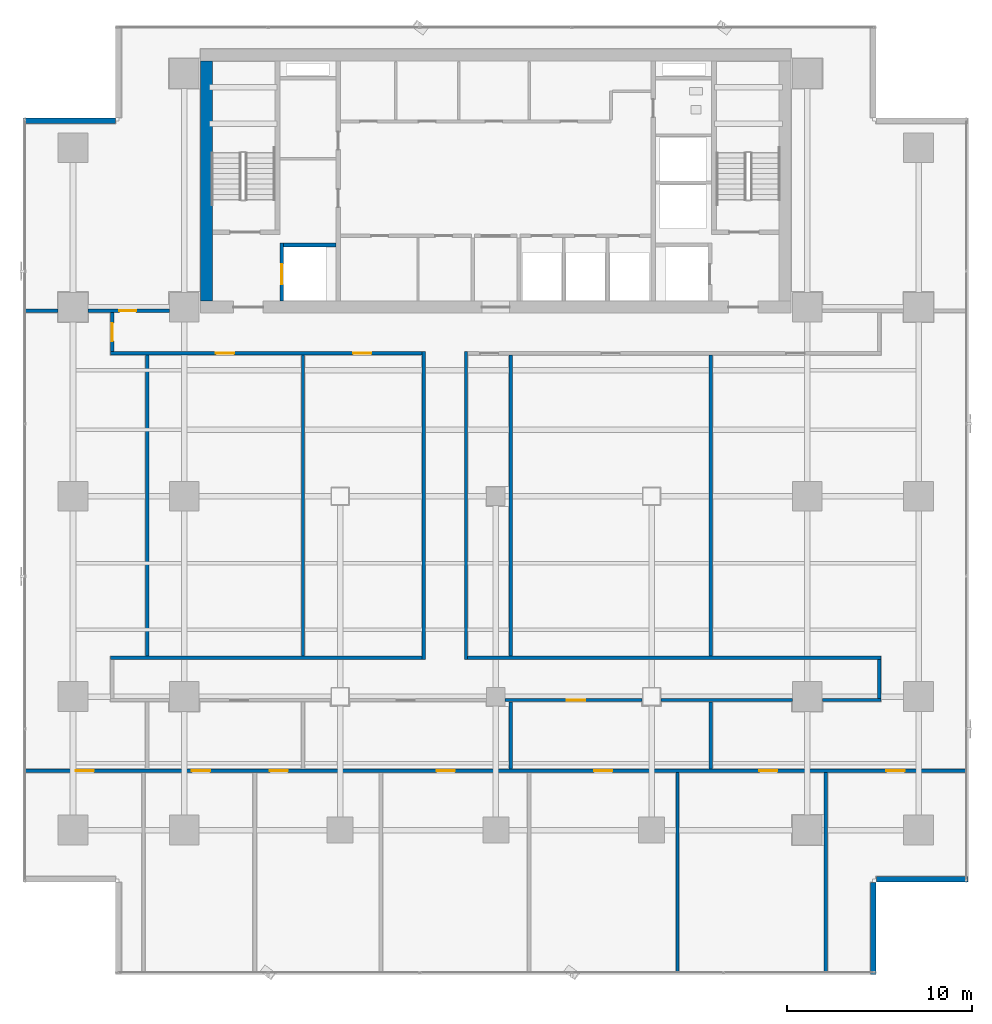
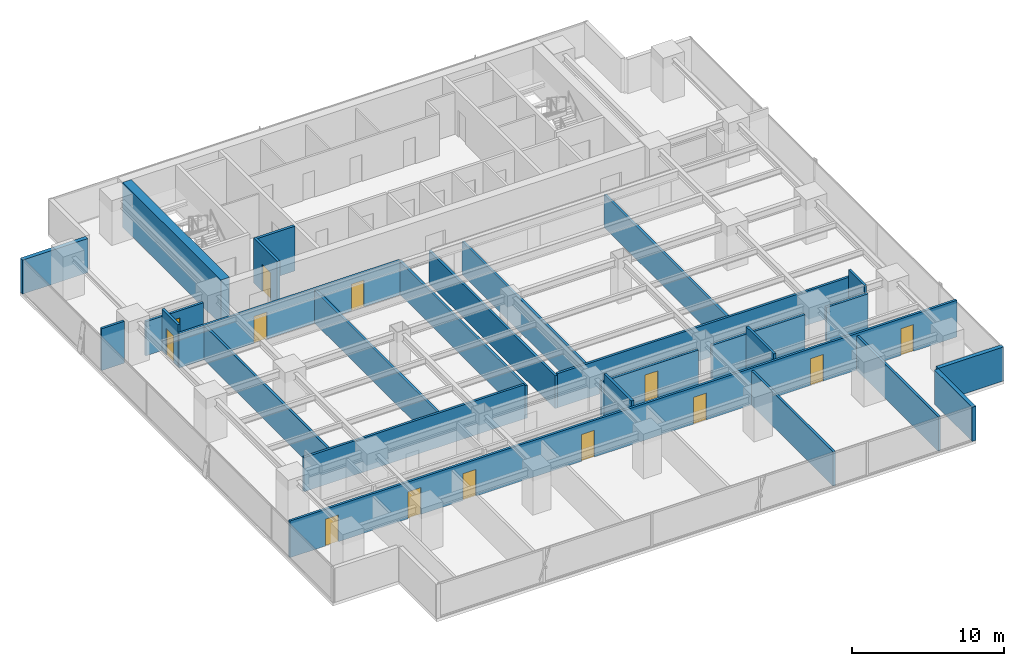
# One storey, part 28 of 36: 27 walls, 13 doors, 13 openings.
"""IFC4 building model written with IfcOpenShell, lengths in metres."""

from ifc_helpers import new_model, si_unit, direction, frame, frame_2d, origin, place, context, subcontext, project, spatial, rectangle, extrude, source, transform, mapped, material, layer, layer_set, type_object, element, fill, save


model = new_model("IFC4")

# Units and contexts
model_context = context("Model", 3, precision=1e-05, world=origin(), true_north=direction((0.0, 1.0)))
body_context = subcontext(model_context, "Body", "Model", "MODEL_VIEW")
ifc_project = project(units=[si_unit("LENGTHUNIT", "METRE"), si_unit("AREAUNIT", "SQUARE_METRE"), si_unit("VOLUMEUNIT", "CUBIC_METRE"), si_unit("PLANEANGLEUNIT", "RADIAN"), si_unit("MASSUNIT", "GRAM", prefix="KILO")], contexts=[model_context])

# Site, building, storey
site_placement = place(None, origin())
site = spatial("IfcSite", under=ifc_project, at=site_placement, CompositionType="ELEMENT")
building_placement = place(site_placement, origin())
building = spatial("IfcBuilding", under=site, at=building_placement, Name="Sumidabori Civic Tower", CompositionType="ELEMENT")
storey_placement = place(building_placement, frame((0.0, 0.0, 113.60009765625)))
storey = spatial("IfcBuildingStorey", under=building, at=storey_placement, Name="L29", CompositionType="ELEMENT", Elevation=113.60009765625)

# Walls
ifc_material_1 = material(Name="Concrete C50/60", Category="concrete")
ifc_layer_1 = layer(ifc_material_1, 0.199951171875, Name="Concrete C50/60")
ifc_layer_set_1 = layer_set([ifc_layer_1], Name="Concrete C50/60")
wall_type_1 = type_object("IfcWallType", Name="WL-SHAFT-200", PredefinedType="SHEAR", material=ifc_layer_set_1)
shared_shape_1 = source(origin(), body_context, "Body", "SweptSolid", [
    extrude(rectangle(XDim=2.824951171875, YDim=0.199951171875, at=frame_2d((1.41259765625, 0.0))), origin(), (0.0, 0.0, 1.0), 3.599853515625),
])
wall_1_placement = place(storey_placement, frame((-11.449951171875, 13.550048828125, 0.0), z_axis=(0.0, 0.0, 1.0), x_axis=(1.0, 0.0, 0.0)))
element("IfcWall", 1, at=wall_1_placement, inside=storey, type_object=wall_type_1, Name="Core Shear Wall L29 EL1-N", PredefinedType="SHEAR", context=body_context, shape_type="MappedRepresentation", body=[
    mapped(shared_shape_1, transform((0.0, 0.0, 0.0), x_axis=(1.0, 0.0, 0.0), y_axis=(0.0, 1.0, 0.0), z_axis=(0.0, 0.0, 1.0), scale=1.0)),
])
ifc_material_2 = material(Name="Concrete C60/75", Category="concrete")
ifc_layer_2 = layer(ifc_material_2, 0.64990234375, Name="Concrete C60/75")
ifc_layer_set_2 = layer_set([ifc_layer_2], Name="Concrete C60/75")
wall_type_2 = type_object("IfcWallType", Name="WL-CORE-650", PredefinedType="SHEAR", material=ifc_layer_set_2)
shared_shape_2 = source(origin(), body_context, "Body", "SweptSolid", [
    extrude(rectangle(XDim=12.9501953125, YDim=0.64990234375, at=frame_2d((6.47509765625, 0.0))), origin(), (0.0, 0.0, 1.0), 3.599853515625),
])
wall_2_placement = place(storey_placement, frame((-15.60009765625, 10.52490234375, 0.0), z_axis=(0.0, 0.0, 1.0), x_axis=(0.0, 1.0, 0.0)))
element("IfcWall", 2, at=wall_2_placement, inside=storey, type_object=wall_type_2, Name="Core Shear Wall L29 W", PredefinedType="SHEAR", context=body_context, shape_type="MappedRepresentation", body=[
    mapped(shared_shape_2, transform((0.0, 0.0, 0.0), x_axis=(1.0, 0.0, 0.0), y_axis=(0.0, 1.0, 0.0), z_axis=(0.0, 0.0, 1.0), scale=1.0)),
])

# Wall, opening, door
shared_shape_3 = source(origin(), body_context, "Body", "SweptSolid", [
    extrude(rectangle(XDim=3.125, YDim=0.199951171875, at=frame_2d((1.5625, 0.0))), origin(), (0.0, 0.0, 1.0), 3.599853515625),
])
wall_3_placement = place(storey_placement, frame((-11.550048828125, 10.52490234375, 0.0), z_axis=(0.0, 0.0, 1.0), x_axis=(0.0, 1.0, 0.0)))
wall_3 = element("IfcWall", 3, at=wall_3_placement, inside=storey, type_object=wall_type_1, Name="Core Shear Wall L29 EL1-W", PredefinedType="SHEAR", context=body_context, shape_type="MappedRepresentation", body=[
    mapped(shared_shape_3, transform((0.0, 0.0, 0.0), x_axis=(1.0, 0.0, 0.0), y_axis=(0.0, 1.0, 0.0), z_axis=(0.0, 0.0, 1.0), scale=1.0)),
])
opening_1_placement = place(wall_3_placement, frame((0.89990234375, 0.0, 0.0)))
opening_1 = element("IfcOpeningElement", 4, at=opening_1_placement, cuts=wall_3, Name="Opening LD-2", PredefinedType="OPENING", context=body_context, shape_type="SweptSolid", body=[
    extrude(rectangle(XDim=1.10009765625, YDim=2.14990234375, at=frame_2d((0.550048828125, 1.074951171875))), frame((0.0, 0.11181640625, 0.0), z_axis=(0.0, -1.0, 0.0), x_axis=(1.0, 0.0, 0.0)), (0.0, 0.0, 1.0), 0.223876953125),
])
ifc_material_3 = material(Name="Stainless Steel Hairline Finish", Category="steel")
door_type_1 = type_object("IfcDoorType", Name="DR-LD2", OperationType="DOUBLE_DOOR_SLIDING", PredefinedType="DOOR", material=ifc_material_3)
shared_shape_4 = source(origin(), body_context, "Body", "SweptSolid", [
    extrude(rectangle(XDim=1.10009765625, YDim=2.14990234375, at=frame_2d((0.550048828125, 1.074951171875))), frame((0.0, 0.02490234375, 0.0), z_axis=(0.0, -1.0, 0.0), x_axis=(1.0, 0.0, 0.0)), (0.0, 0.0, 1.0), 0.050048828125),
])
door_1_placement = place(opening_1_placement, origin())
door_1 = element("IfcDoor", 5, at=door_1_placement, inside=storey, type_object=door_type_1, Name="Door DR:L29:LD-EL1", OperationType="DOUBLE_DOOR_SLIDING", OverallHeight=2.14990234375, OverallWidth=1.10009765625, PredefinedType="DOOR", context=body_context, shape_type="MappedRepresentation", body=[
    mapped(shared_shape_4, transform((0.0, 0.0, 0.0), x_axis=(1.0, 0.0, 0.0), y_axis=(0.0, 1.0, 0.0), z_axis=(0.0, 0.0, 1.0), scale=1.0)),
])
fill(opening_1, door_1)

# Walls
ifc_material_4 = material(Name="Precast concrete C40/50", Category="concrete")
ifc_layer_3 = layer(ifc_material_4, 0.300048828125, Name="Precast concrete C40/50")
ifc_layer_set_3 = layer_set([ifc_layer_3], Name="Precast concrete C40/50")
wall_type_3 = type_object("IfcWallType", Name="WL-EXT-POD300", PredefinedType="STANDARD", material=ifc_layer_set_3)
shared_shape_5 = source(origin(), body_context, "Body", "SweptSolid", [
    extrude(rectangle(XDim=4.9599609375, YDim=0.300048828125, at=frame_2d((2.47998046875, 0.0))), origin(), (0.0, 0.0, 1.0), 2.739990234375),
])
for number, where, z_axis, x_axis, name in (
    (6, (20.35009765625, -25.780029296875, 0.0), (0.0, 0.0, 1.0), (0.0, 1.0, 0.0), "Notched Corner Spandrel Band L29-02"),
    (7, (20.52001953125, -20.64990234375, 0.0), (0.0, 0.0, 1.0), (1.0, 0.0, 0.0), "Notched Corner Spandrel Band L29-03"),
    (8, (-20.52001953125, 20.25, 0.0), (0.0, 0.0, 1.0), (-1.0, 0.0, 0.0), "Notched Corner Spandrel Band L29-09"),
):
    element("IfcWall", number, at=place(storey_placement, frame(where, z_axis=z_axis, x_axis=x_axis)), inside=storey, type_object=wall_type_3, Name=name, PredefinedType="STANDARD", context=body_context, shape_type="MappedRepresentation", body=[
        mapped(shared_shape_5, transform((0.0, 0.0, 0.0), x_axis=(1.0, 0.0, 0.0), y_axis=(0.0, 1.0, 0.0), z_axis=(0.0, 0.0, 1.0), scale=1.0)),
    ])
ifc_material_5 = material(Name="Gypsum Plasterboard Acoustic Partition")
ifc_layer_4 = layer(ifc_material_5, 0.179931640625, Name="Gypsum Plasterboard Acoustic Partition")
ifc_layer_set_4 = layer_set([ifc_layer_4], Name="Gypsum Plasterboard Acoustic Partition")
wall_type_4 = type_object("IfcWallType", Name="WL-PART-180", PredefinedType="PARTITIONING", material=ifc_layer_set_4)
shared_shape_6 = source(origin(), body_context, "Body", "SweptSolid", [
    extrude(rectangle(XDim=1.739990234375, YDim=0.179931640625, at=frame_2d((0.8701171875, 0.0))), origin(), (0.0, 0.0, 1.0), 3.35986328125),
])
wall_4_placement = place(storey_placement, frame((-25.35009765625, 10.0, 0.0), z_axis=(0.0, 0.0, 1.0), x_axis=(1.0, 0.0, 0.0)))
element("IfcWall", 9, at=wall_4_placement, inside=storey, type_object=wall_type_4, Name="Interior Partition WL:L29:FLK-NW-1", PredefinedType="PARTITIONING", context=body_context, shape_type="MappedRepresentation", body=[
    mapped(shared_shape_6, transform((0.0, 0.0, 0.0), x_axis=(1.0, 0.0, 0.0), y_axis=(0.0, 1.0, 0.0), z_axis=(0.0, 0.0, 1.0), scale=1.0)),
])

# Wall, opening, door
shared_shape_7 = source(origin(), body_context, "Body", "SweptSolid", [
    extrude(rectangle(XDim=4.3798828125, YDim=0.179931640625, at=frame_2d((2.18994140625, 0.0))), origin(), (0.0, 0.0, 1.0), 2.744873046875),
])
wall_5_placement = place(storey_placement, frame((-21.989990234375, 10.0, 0.0), z_axis=(0.0, 0.0, 1.0), x_axis=(1.0, 0.0, 0.0)))
wall_5 = element("IfcWall", 10, at=wall_5_placement, inside=storey, type_object=wall_type_4, Name="Interior Partition WL:L29:FLK-NW-2", PredefinedType="PARTITIONING", context=body_context, shape_type="MappedRepresentation", body=[
    mapped(shared_shape_7, transform((0.0, 0.0, 0.0), x_axis=(1.0, 0.0, 0.0), y_axis=(0.0, 1.0, 0.0), z_axis=(0.0, 0.0, 1.0), scale=1.0)),
])
opening_2_placement = place(wall_5_placement, frame((1.695068359375, 0.0, 0.0)))
opening_2 = element("IfcOpeningElement", 11, at=opening_2_placement, cuts=wall_5, Name="Opening DR-1", PredefinedType="OPENING", context=body_context, shape_type="SweptSolid", body=[
    extrude(rectangle(XDim=0.89990234375, YDim=2.14990234375, at=frame_2d((0.449951171875, 1.074951171875))), frame((0.0, 0.10205078125, 0.0), z_axis=(0.0, -1.0, 0.0), x_axis=(1.0, 0.0, 0.0)), (0.0, 0.0, 1.0), 0.203857421875),
])
ifc_material_6 = material(Name="Japanese Hinoki Timber", Category="wood")
door_type_2 = type_object("IfcDoorType", Name="DR-INT-900", OperationType="NOTDEFINED", PredefinedType="DOOR", material=ifc_material_6)
shared_shape_8 = source(origin(), body_context, "Body", "SweptSolid", [
    extrude(rectangle(XDim=0.89990234375, YDim=2.14990234375, at=frame_2d((0.449951171875, 1.074951171875))), frame((0.0, 0.02490234375, 0.0), z_axis=(0.0, -1.0, 0.0), x_axis=(1.0, 0.0, 0.0)), (0.0, 0.0, 1.0), 0.050048828125),
])
door_2_placement = place(opening_2_placement, origin())
door_2 = element("IfcDoor", 12, at=door_2_placement, inside=storey, type_object=door_type_2, Name="Door DR:L29:FLK-NW", OperationType="SINGLE_SWING_LEFT", OverallHeight=2.14990234375, OverallWidth=0.89990234375, PredefinedType="DOOR", context=body_context, shape_type="MappedRepresentation", body=[
    mapped(shared_shape_8, transform((0.0, 0.0, 0.0), x_axis=(1.0, 0.0, 0.0), y_axis=(0.0, 1.0, 0.0), z_axis=(0.0, 0.0, 1.0), scale=1.0)),
])
fill(opening_2, door_2)

# Wall, openings, doors
shared_shape_9 = source(origin(), body_context, "Body", "SweptSolid", [
    extrude(rectangle(XDim=16.800048828125, YDim=0.179931640625, at=frame_2d((8.39990234375, 0.0))), origin(), (0.0, 0.0, 1.0), 2.744873046875),
])
wall_6_placement = place(storey_placement, frame((-20.780029296875, 7.7099609375, 0.0), z_axis=(0.0, 0.0, 1.0), x_axis=(1.0, 0.0, 0.0)))
wall_6 = element("IfcWall", 13, at=wall_6_placement, inside=storey, type_object=wall_type_4, Name="Interior Partition WL:L29:CORR-SW", PredefinedType="PARTITIONING", context=body_context, shape_type="MappedRepresentation", body=[
    mapped(shared_shape_9, transform((0.0, 0.0, 0.0), x_axis=(1.0, 0.0, 0.0), y_axis=(0.0, 1.0, 0.0), z_axis=(0.0, 0.0, 1.0), scale=1.0)),
])
opening_3_placement = place(wall_6_placement, frame((5.68994140625, 0.0, 0.0)))
opening_3 = element("IfcOpeningElement", 14, at=opening_3_placement, cuts=wall_6, Name="Opening DR-3", PredefinedType="OPENING", context=body_context, shape_type="SweptSolid", body=[
    extrude(rectangle(XDim=0.97998046875, YDim=2.14990234375, at=frame_2d((0.489990234375, 1.074951171875))), frame((0.0, 0.10205078125, 0.0), z_axis=(0.0, -1.0, 0.0), x_axis=(1.0, 0.0, 0.0)), (0.0, 0.0, 1.0), 0.203857421875),
])
opening_4_placement = place(wall_6_placement, frame((13.0849609375, 0.0, 0.0)))
opening_4 = element("IfcOpeningElement", 15, at=opening_4_placement, cuts=wall_6, Name="Opening DR-3", PredefinedType="OPENING", context=body_context, shape_type="SweptSolid", body=[
    extrude(rectangle(XDim=0.97998046875, YDim=2.14990234375, at=frame_2d((0.489990234375, 1.074951171875))), frame((0.0, 0.10205078125, 0.0), z_axis=(0.0, -1.0, 0.0), x_axis=(1.0, 0.0, 0.0)), (0.0, 0.0, 1.0), 0.203857421875),
])
door_type_3 = type_object("IfcDoorType", Name="DR-INT-980", OperationType="NOTDEFINED", PredefinedType="DOOR", material=ifc_material_6)
shared_shape_10 = source(origin(), body_context, "Body", "SweptSolid", [
    extrude(rectangle(XDim=0.97998046875, YDim=2.14990234375, at=frame_2d((0.489990234375, 1.074951171875))), frame((0.0, 0.02490234375, 0.0), z_axis=(0.0, -1.0, 0.0), x_axis=(1.0, 0.0, 0.0)), (0.0, 0.0, 1.0), 0.050048828125),
])
door_3_placement = place(opening_3_placement, origin())
door_3 = element("IfcDoor", 16, at=door_3_placement, inside=storey, type_object=door_type_3, Name="Door DR:L29:D02", OperationType="SINGLE_SWING_RIGHT", OverallHeight=2.14990234375, OverallWidth=0.97998046875, PredefinedType="DOOR", context=body_context, shape_type="MappedRepresentation", body=[
    mapped(shared_shape_10, transform((0.0, 0.0, 0.0), x_axis=(1.0, 0.0, 0.0), y_axis=(0.0, 1.0, 0.0), z_axis=(0.0, 0.0, 1.0), scale=1.0)),
])
fill(opening_3, door_3)
door_4_placement = place(opening_4_placement, origin())
door_4 = element("IfcDoor", 17, at=door_4_placement, inside=storey, type_object=door_type_3, Name="Door DR:L29:D03", OperationType="SINGLE_SWING_LEFT", OverallHeight=2.14990234375, OverallWidth=0.97998046875, PredefinedType="DOOR", context=body_context, shape_type="MappedRepresentation", body=[
    mapped(shared_shape_10, transform((0.0, 0.0, 0.0), x_axis=(1.0, 0.0, 0.0), y_axis=(0.0, 1.0, 0.0), z_axis=(0.0, 0.0, 1.0), scale=1.0)),
])
fill(opening_4, door_4)

# Walls
wall_7_placement = place(storey_placement, frame((-20.780029296875, -8.7099609375, 0.0), z_axis=(0.0, 0.0, 1.0), x_axis=(1.0, 0.0, 0.0)))
element("IfcWall", 18, at=wall_7_placement, inside=storey, type_object=wall_type_4, Name="Interior Partition WL:L29:CORR-MNW", PredefinedType="PARTITIONING", context=body_context, shape_type="MappedRepresentation", body=[
    mapped(shared_shape_9, transform((0.0, 0.0, 0.0), x_axis=(1.0, 0.0, 0.0), y_axis=(0.0, 1.0, 0.0), z_axis=(0.0, 0.0, 1.0), scale=1.0)),
])
shared_shape_11 = source(origin(), body_context, "Body", "SweptSolid", [
    extrude(rectangle(XDim=22.300048828125, YDim=0.179931640625, at=frame_2d((11.14990234375, 0.0))), origin(), (0.0, 0.0, 1.0), 2.744873046875),
])
wall_8_placement = place(storey_placement, frame((-1.52001953125, -8.7099609375, 0.0), z_axis=(0.0, 0.0, 1.0), x_axis=(1.0, 0.0, 0.0)))
element("IfcWall", 19, at=wall_8_placement, inside=storey, type_object=wall_type_4, Name="Interior Partition WL:L29:CORR-MNE", PredefinedType="PARTITIONING", context=body_context, shape_type="MappedRepresentation", body=[
    mapped(shared_shape_11, transform((0.0, 0.0, 0.0), x_axis=(1.0, 0.0, 0.0), y_axis=(0.0, 1.0, 0.0), z_axis=(0.0, 0.0, 1.0), scale=1.0)),
])
shared_shape_12 = source(origin(), body_context, "Body", "SweptSolid", [
    extrude(rectangle(XDim=3.169921875, YDim=0.179931640625, at=frame_2d((1.5849609375, 0.0))), origin(), (0.0, 0.0, 1.0), 2.744873046875),
])
wall_9_placement = place(storey_placement, frame((17.610107421875, -10.989990234375, 0.0), z_axis=(0.0, 0.0, 1.0), x_axis=(1.0, 0.0, 0.0)))
element("IfcWall", 20, at=wall_9_placement, inside=storey, type_object=wall_type_4, Name="Interior Partition WL:L29:CORR-SS-6", PredefinedType="PARTITIONING", context=body_context, shape_type="MappedRepresentation", body=[
    mapped(shared_shape_12, transform((0.0, 0.0, 0.0), x_axis=(1.0, 0.0, 0.0), y_axis=(0.0, 1.0, 0.0), z_axis=(0.0, 0.0, 1.0), scale=1.0)),
])
shared_shape_13 = source(origin(), body_context, "Body", "SweptSolid", [
    extrude(rectangle(XDim=7.080078125, YDim=0.179931640625, at=frame_2d((3.5400390625, 0.0))), origin(), (0.0, 0.0, 1.0), 2.744873046875),
])
wall_10_placement = place(storey_placement, frame((8.909912109375, -10.989990234375, 0.0), z_axis=(0.0, 0.0, 1.0), x_axis=(1.0, 0.0, 0.0)))
element("IfcWall", 21, at=wall_10_placement, inside=storey, type_object=wall_type_4, Name="Interior Partition WL:L29:CORR-SS-5", PredefinedType="PARTITIONING", context=body_context, shape_type="MappedRepresentation", body=[
    mapped(shared_shape_13, transform((0.0, 0.0, 0.0), x_axis=(1.0, 0.0, 0.0), y_axis=(0.0, 1.0, 0.0), z_axis=(0.0, 0.0, 1.0), scale=1.0)),
])

# Wall, opening, door
shared_shape_14 = source(origin(), body_context, "Body", "SweptSolid", [
    extrude(rectangle(XDim=7.3798828125, YDim=0.179931640625, at=frame_2d((3.68994140625, 0.0))), origin(), (0.0, 0.0, 1.0), 2.744873046875),
])
wall_11_placement = place(storey_placement, frame((0.510009765625, -10.989990234375, 0.0), z_axis=(0.0, 0.0, 1.0), x_axis=(1.0, 0.0, 0.0)))
wall_11 = element("IfcWall", 22, at=wall_11_placement, inside=storey, type_object=wall_type_4, Name="Interior Partition WL:L29:CORR-SS-4", PredefinedType="PARTITIONING", context=body_context, shape_type="MappedRepresentation", body=[
    mapped(shared_shape_14, transform((0.0, 0.0, 0.0), x_axis=(1.0, 0.0, 0.0), y_axis=(0.0, 1.0, 0.0), z_axis=(0.0, 0.0, 1.0), scale=1.0)),
])
opening_5_placement = place(wall_11_placement, frame((3.330078125, 0.0, 0.0)))
opening_5 = element("IfcOpeningElement", 23, at=opening_5_placement, cuts=wall_11, Name="Opening DR-3", PredefinedType="OPENING", context=body_context, shape_type="SweptSolid", body=[
    extrude(rectangle(XDim=0.97998046875, YDim=2.14990234375, at=frame_2d((0.489990234375, 1.074951171875))), frame((0.0, 0.10205078125, 0.0), z_axis=(0.0, -1.0, 0.0), x_axis=(1.0, 0.0, 0.0)), (0.0, 0.0, 1.0), 0.203857421875),
])
door_5_placement = place(opening_5_placement, origin())
door_5 = element("IfcDoor", 24, at=door_5_placement, inside=storey, type_object=door_type_3, Name="Door DR:L29:D10", OperationType="SINGLE_SWING_RIGHT", OverallHeight=2.14990234375, OverallWidth=0.97998046875, PredefinedType="DOOR", context=body_context, shape_type="MappedRepresentation", body=[
    mapped(shared_shape_10, transform((0.0, 0.0, 0.0), x_axis=(1.0, 0.0, 0.0), y_axis=(0.0, 1.0, 0.0), z_axis=(0.0, 0.0, 1.0), scale=1.0)),
])
fill(opening_5, door_5)

shared_shape_15 = source(origin(), body_context, "Body", "SweptSolid", [
    extrude(rectangle(XDim=2.10009765625, YDim=0.179931640625, at=frame_2d((1.050048828125, 0.0))), origin(), (0.0, 0.0, 1.0), 3.35986328125),
])
wall_12_placement = place(storey_placement, frame((-20.68994140625, 7.804931640625, 0.0), z_axis=(0.0, 0.0, 1.0), x_axis=(0.0, 1.0, 0.0)))
wall_12 = element("IfcWall", 25, at=wall_12_placement, inside=storey, type_object=wall_type_4, Name="Interior Partition WL:L29:CORR-VNW", PredefinedType="PARTITIONING", context=body_context, shape_type="MappedRepresentation", body=[
    mapped(shared_shape_15, transform((0.0, 0.0, 0.0), x_axis=(1.0, 0.0, 0.0), y_axis=(0.0, 1.0, 0.0), z_axis=(0.0, 0.0, 1.0), scale=1.0)),
])
opening_6_placement = place(wall_12_placement, frame((0.56005859375, 0.0, 0.0)))
opening_6 = element("IfcOpeningElement", 26, at=opening_6_placement, cuts=wall_12, Name="Opening DR-3", PredefinedType="OPENING", context=body_context, shape_type="SweptSolid", body=[
    extrude(rectangle(XDim=0.97998046875, YDim=2.14990234375, at=frame_2d((0.489990234375, 1.074951171875))), frame((0.0, 0.10205078125, 0.0), z_axis=(0.0, -1.0, 0.0), x_axis=(1.0, 0.0, 0.0)), (0.0, 0.0, 1.0), 0.203857421875),
])
door_6_placement = place(opening_6_placement, origin())
door_6 = element("IfcDoor", 27, at=door_6_placement, inside=storey, type_object=door_type_3, Name="Door DR:L29:D06", OperationType="SINGLE_SWING_RIGHT", OverallHeight=2.14990234375, OverallWidth=0.97998046875, PredefinedType="DOOR", context=body_context, shape_type="MappedRepresentation", body=[
    mapped(shared_shape_10, transform((0.0, 0.0, 0.0), x_axis=(1.0, 0.0, 0.0), y_axis=(0.0, 1.0, 0.0), z_axis=(0.0, 0.0, 1.0), scale=1.0)),
])
fill(opening_6, door_6)

# Walls
shared_shape_16 = source(origin(), body_context, "Body", "SweptSolid", [
    extrude(rectangle(XDim=16.60009765625, YDim=0.179931640625, at=frame_2d((8.300048828125, 0.0))), origin(), (0.0, 0.0, 1.0), 2.64501953125),
])
for number, where, z_axis, x_axis, name in (
    (28, (-3.889892578125, -8.800048828125, 0.0), (0.0, 0.0, 1.0), (0.0, 1.0, 0.0), "Interior Partition WL:L29:CORR-VSP-W"),
    (29, (-1.610107421875, -8.800048828125, 0.0), (0.0, 0.0, 1.0), (0.0, 1.0, 0.0), "Interior Partition WL:L29:CORR-VSP-E"),
):
    element("IfcWall", number, at=place(storey_placement, frame(where, z_axis=z_axis, x_axis=x_axis)), inside=storey, type_object=wall_type_4, Name=name, PredefinedType="PARTITIONING", context=body_context, shape_type="MappedRepresentation", body=[
        mapped(shared_shape_16, transform((0.0, 0.0, 0.0), x_axis=(1.0, 0.0, 0.0), y_axis=(0.0, 1.0, 0.0), z_axis=(0.0, 0.0, 1.0), scale=1.0)),
    ])
shared_shape_17 = source(origin(), body_context, "Body", "SweptSolid", [
    extrude(rectangle(XDim=2.090087890625, YDim=0.179931640625, at=frame_2d((1.044921875, 0.0))), origin(), (0.0, 0.0, 1.0), 3.35986328125),
])
wall_13_placement = place(storey_placement, frame((20.68994140625, -10.89501953125, 0.0), z_axis=(0.0, 0.0, 1.0), x_axis=(0.0, 1.0, 0.0)))
element("IfcWall", 30, at=wall_13_placement, inside=storey, type_object=wall_type_4, Name="Interior Partition WL:L29:CORR-VSE", PredefinedType="PARTITIONING", context=body_context, shape_type="MappedRepresentation", body=[
    mapped(shared_shape_17, transform((0.0, 0.0, 0.0), x_axis=(1.0, 0.0, 0.0), y_axis=(0.0, 1.0, 0.0), z_axis=(0.0, 0.0, 1.0), scale=1.0)),
])

# Wall, openings, doors
shared_shape_18 = source(origin(), body_context, "Body", "SweptSolid", [
    extrude(rectangle(XDim=50.7001953125, YDim=0.179931640625, at=frame_2d((25.35009765625, 0.0))), origin(), (0.0, 0.0, 1.0), 2.94482421875),
])
wall_14_placement = place(storey_placement, frame((-25.35009765625, -14.800048828125, 0.0), z_axis=(0.0, 0.0, 1.0), x_axis=(1.0, 0.0, 0.0)))
wall_14 = element("IfcWall", 31, at=wall_14_placement, inside=storey, type_object=wall_type_4, Name="Interior Partition WL:L29:BAND-Y", PredefinedType="PARTITIONING", context=body_context, shape_type="MappedRepresentation", body=[
    mapped(shared_shape_18, transform((0.0, 0.0, 0.0), x_axis=(1.0, 0.0, 0.0), y_axis=(0.0, 1.0, 0.0), z_axis=(0.0, 0.0, 1.0), scale=1.0)),
])
opening_7_placement = place(wall_14_placement, frame((2.699951171875, 0.0, 0.0)))
opening_7 = element("IfcOpeningElement", 32, at=opening_7_placement, cuts=wall_14, Name="Opening DR-3", PredefinedType="OPENING", context=body_context, shape_type="SweptSolid", body=[
    extrude(rectangle(XDim=0.97998046875, YDim=2.14990234375, at=frame_2d((0.489990234375, 1.074951171875))), frame((0.0, 0.10205078125, 0.0), z_axis=(0.0, -1.0, 0.0), x_axis=(1.0, 0.0, 0.0)), (0.0, 0.0, 1.0), 0.203857421875),
])
opening_8_placement = place(wall_14_placement, frame((46.419921875, 0.0, 0.0)))
opening_8 = element("IfcOpeningElement", 33, at=opening_8_placement, cuts=wall_14, Name="Opening DR-3", PredefinedType="OPENING", context=body_context, shape_type="SweptSolid", body=[
    extrude(rectangle(XDim=0.97998046875, YDim=2.14990234375, at=frame_2d((0.489990234375, 1.074951171875))), frame((0.0, 0.10205078125, 0.0), z_axis=(0.0, -1.0, 0.0), x_axis=(1.0, 0.0, 0.0)), (0.0, 0.0, 1.0), 0.203857421875),
])
opening_9_placement = place(wall_14_placement, frame((13.159912109375, 0.0, 0.0)))
opening_9 = element("IfcOpeningElement", 34, at=opening_9_placement, cuts=wall_14, Name="Opening DR-3", PredefinedType="OPENING", context=body_context, shape_type="SweptSolid", body=[
    extrude(rectangle(XDim=0.97998046875, YDim=2.14990234375, at=frame_2d((0.489990234375, 1.074951171875))), frame((0.0, 0.10205078125, 0.0), z_axis=(0.0, -1.0, 0.0), x_axis=(1.0, 0.0, 0.0)), (0.0, 0.0, 1.0), 0.203857421875),
])
opening_10_placement = place(wall_14_placement, frame((22.159912109375, 0.0, 0.0)))
opening_10 = element("IfcOpeningElement", 35, at=opening_10_placement, cuts=wall_14, Name="Opening DR-3", PredefinedType="OPENING", context=body_context, shape_type="SweptSolid", body=[
    extrude(rectangle(XDim=0.97998046875, YDim=2.14990234375, at=frame_2d((0.489990234375, 1.074951171875))), frame((0.0, 0.10205078125, 0.0), z_axis=(0.0, -1.0, 0.0), x_axis=(1.0, 0.0, 0.0)), (0.0, 0.0, 1.0), 0.203857421875),
])
opening_11_placement = place(wall_14_placement, frame((30.659912109375, 0.0, 0.0)))
opening_11 = element("IfcOpeningElement", 36, at=opening_11_placement, cuts=wall_14, Name="Opening DR-3", PredefinedType="OPENING", context=body_context, shape_type="SweptSolid", body=[
    extrude(rectangle(XDim=0.97998046875, YDim=2.14990234375, at=frame_2d((0.489990234375, 1.074951171875))), frame((0.0, 0.10205078125, 0.0), z_axis=(0.0, -1.0, 0.0), x_axis=(1.0, 0.0, 0.0)), (0.0, 0.0, 1.0), 0.203857421875),
])
opening_12_placement = place(wall_14_placement, frame((8.9599609375, 0.0, 0.0)))
opening_12 = element("IfcOpeningElement", 37, at=opening_12_placement, cuts=wall_14, Name="Opening DR-3", PredefinedType="OPENING", context=body_context, shape_type="SweptSolid", body=[
    extrude(rectangle(XDim=0.97998046875, YDim=2.14990234375, at=frame_2d((0.489990234375, 1.074951171875))), frame((0.0, 0.10205078125, 0.0), z_axis=(0.0, -1.0, 0.0), x_axis=(1.0, 0.0, 0.0)), (0.0, 0.0, 1.0), 0.203857421875),
])
opening_13_placement = place(wall_14_placement, frame((39.56005859375, 0.0, 0.0)))
opening_13 = element("IfcOpeningElement", 38, at=opening_13_placement, cuts=wall_14, Name="Opening DR-3", PredefinedType="OPENING", context=body_context, shape_type="SweptSolid", body=[
    extrude(rectangle(XDim=0.97998046875, YDim=2.14990234375, at=frame_2d((0.489990234375, 1.074951171875))), frame((0.0, 0.10205078125, 0.0), z_axis=(0.0, -1.0, 0.0), x_axis=(1.0, 0.0, 0.0)), (0.0, 0.0, 1.0), 0.203857421875),
])
door_7_placement = place(opening_7_placement, origin())
door_7 = element("IfcDoor", 39, at=door_7_placement, inside=storey, type_object=door_type_3, Name="Door DR:L29:D11", OperationType="SINGLE_SWING_LEFT", OverallHeight=2.14990234375, OverallWidth=0.97998046875, PredefinedType="DOOR", context=body_context, shape_type="MappedRepresentation", body=[
    mapped(shared_shape_10, transform((0.0, 0.0, 0.0), x_axis=(1.0, 0.0, 0.0), y_axis=(0.0, 1.0, 0.0), z_axis=(0.0, 0.0, 1.0), scale=1.0)),
])
fill(opening_7, door_7)
door_8_placement = place(opening_8_placement, origin())
door_8 = element("IfcDoor", 40, at=door_8_placement, inside=storey, type_object=door_type_3, Name="Door DR:L29:D12", OperationType="SINGLE_SWING_RIGHT", OverallHeight=2.14990234375, OverallWidth=0.97998046875, PredefinedType="DOOR", context=body_context, shape_type="MappedRepresentation", body=[
    mapped(shared_shape_10, transform((0.0, 0.0, 0.0), x_axis=(1.0, 0.0, 0.0), y_axis=(0.0, 1.0, 0.0), z_axis=(0.0, 0.0, 1.0), scale=1.0)),
])
fill(opening_8, door_8)
door_9_placement = place(opening_9_placement, origin())
door_9 = element("IfcDoor", 41, at=door_9_placement, inside=storey, type_object=door_type_3, Name="Door DR:L29:D13", OperationType="SINGLE_SWING_LEFT", OverallHeight=2.14990234375, OverallWidth=0.97998046875, PredefinedType="DOOR", context=body_context, shape_type="MappedRepresentation", body=[
    mapped(shared_shape_10, transform((0.0, 0.0, 0.0), x_axis=(1.0, 0.0, 0.0), y_axis=(0.0, 1.0, 0.0), z_axis=(0.0, 0.0, 1.0), scale=1.0)),
])
fill(opening_9, door_9)
door_10_placement = place(opening_10_placement, origin())
door_10 = element("IfcDoor", 42, at=door_10_placement, inside=storey, type_object=door_type_3, Name="Door DR:L29:D14", OperationType="SINGLE_SWING_RIGHT", OverallHeight=2.14990234375, OverallWidth=0.97998046875, PredefinedType="DOOR", context=body_context, shape_type="MappedRepresentation", body=[
    mapped(shared_shape_10, transform((0.0, 0.0, 0.0), x_axis=(1.0, 0.0, 0.0), y_axis=(0.0, 1.0, 0.0), z_axis=(0.0, 0.0, 1.0), scale=1.0)),
])
fill(opening_10, door_10)
door_11_placement = place(opening_11_placement, origin())
door_11 = element("IfcDoor", 43, at=door_11_placement, inside=storey, type_object=door_type_3, Name="Door DR:L29:D15", OperationType="SINGLE_SWING_LEFT", OverallHeight=2.14990234375, OverallWidth=0.97998046875, PredefinedType="DOOR", context=body_context, shape_type="MappedRepresentation", body=[
    mapped(shared_shape_10, transform((0.0, 0.0, 0.0), x_axis=(1.0, 0.0, 0.0), y_axis=(0.0, 1.0, 0.0), z_axis=(0.0, 0.0, 1.0), scale=1.0)),
])
fill(opening_11, door_11)
door_12_placement = place(opening_12_placement, origin())
door_12 = element("IfcDoor", 44, at=door_12_placement, inside=storey, type_object=door_type_3, Name="Door DR:L29:D16", OperationType="SINGLE_SWING_RIGHT", OverallHeight=2.14990234375, OverallWidth=0.97998046875, PredefinedType="DOOR", context=body_context, shape_type="MappedRepresentation", body=[
    mapped(shared_shape_10, transform((0.0, 0.0, 0.0), x_axis=(1.0, 0.0, 0.0), y_axis=(0.0, 1.0, 0.0), z_axis=(0.0, 0.0, 1.0), scale=1.0)),
])
fill(opening_12, door_12)
door_13_placement = place(opening_13_placement, origin())
door_13 = element("IfcDoor", 45, at=door_13_placement, inside=storey, type_object=door_type_3, Name="Door DR:L29:D17", OperationType="SINGLE_SWING_LEFT", OverallHeight=2.14990234375, OverallWidth=0.97998046875, PredefinedType="DOOR", context=body_context, shape_type="MappedRepresentation", body=[
    mapped(shared_shape_10, transform((0.0, 0.0, 0.0), x_axis=(1.0, 0.0, 0.0), y_axis=(0.0, 1.0, 0.0), z_axis=(0.0, 0.0, 1.0), scale=1.0)),
])
fill(opening_13, door_13)

# Walls
shared_shape_19 = source(origin(), body_context, "Body", "SweptSolid", [
    extrude(rectangle(XDim=3.6201171875, YDim=0.179931640625, at=frame_2d((1.81005859375, 0.0))), origin(), (0.0, 0.0, 1.0), 3.35986328125),
])
for number, where, z_axis, x_axis, name in (
    (46, (0.800048828125, -14.705078125, 0.0), (0.0, 0.0, 1.0), (0.0, 1.0, 0.0), "Interior Partition WL:L29:VX-N3-1"),
    (47, (11.60009765625, -14.705078125, 0.0), (0.0, 0.0, 1.0), (0.0, 1.0, 0.0), "Interior Partition WL:L29:VX-N4-1"),
):
    element("IfcWall", number, at=place(storey_placement, frame(where, z_axis=z_axis, x_axis=x_axis)), inside=storey, type_object=wall_type_4, Name=name, PredefinedType="PARTITIONING", context=body_context, shape_type="MappedRepresentation", body=[
        mapped(shared_shape_19, transform((0.0, 0.0, 0.0), x_axis=(1.0, 0.0, 0.0), y_axis=(0.0, 1.0, 0.0), z_axis=(0.0, 0.0, 1.0), scale=1.0)),
    ])
shared_shape_20 = source(origin(), body_context, "Body", "SweptSolid", [
    extrude(rectangle(XDim=16.22998046875, YDim=0.179931640625, at=frame_2d((8.114990234375, 0.0))), origin(), (0.0, 0.0, 1.0), 2.744873046875),
])
wall_15_placement = place(storey_placement, frame((-18.800048828125, -8.614990234375, 0.0), z_axis=(0.0, 0.0, 1.0), x_axis=(0.0, 1.0, 0.0)))
element("IfcWall", 48, at=wall_15_placement, inside=storey, type_object=wall_type_4, Name="Interior Partition WL:L29:VX-N1-2", PredefinedType="PARTITIONING", context=body_context, shape_type="MappedRepresentation", body=[
    mapped(shared_shape_20, transform((0.0, 0.0, 0.0), x_axis=(1.0, 0.0, 0.0), y_axis=(0.0, 1.0, 0.0), z_axis=(0.0, 0.0, 1.0), scale=1.0)),
])
shared_shape_21 = source(origin(), body_context, "Body", "SweptSolid", [
    extrude(rectangle(XDim=16.22998046875, YDim=0.179931640625, at=frame_2d((8.114990234375, 0.0))), origin(), (0.0, 0.0, 1.0), 2.64501953125),
])
for number, where, z_axis, x_axis, name in (
    (49, (-10.39990234375, -8.614990234375, 0.0), (0.0, 0.0, 1.0), (0.0, 1.0, 0.0), "Interior Partition WL:L29:VX-N2-2"),
    (50, (0.800048828125, -8.614990234375, 0.0), (0.0, 0.0, 1.0), (0.0, 1.0, 0.0), "Interior Partition WL:L29:VX-N3-2"),
    (51, (11.60009765625, -8.614990234375, 0.0), (0.0, 0.0, 1.0), (0.0, 1.0, 0.0), "Interior Partition WL:L29:VX-N4-2"),
):
    element("IfcWall", number, at=place(storey_placement, frame(where, z_axis=z_axis, x_axis=x_axis)), inside=storey, type_object=wall_type_4, Name=name, PredefinedType="PARTITIONING", context=body_context, shape_type="MappedRepresentation", body=[
        mapped(shared_shape_21, transform((0.0, 0.0, 0.0), x_axis=(1.0, 0.0, 0.0), y_axis=(0.0, 1.0, 0.0), z_axis=(0.0, 0.0, 1.0), scale=1.0)),
    ])
shared_shape_22 = source(origin(), body_context, "Body", "SweptSolid", [
    extrude(rectangle(XDim=10.7548828125, YDim=0.179931640625, at=frame_2d((5.37744140625, 0.0))), origin(), (0.0, 0.0, 1.0), 2.744873046875),
])
for number, where, z_axis, x_axis, name in (
    (52, (9.800048828125, -25.64990234375, 0.0), (0.0, 0.0, 1.0), (0.0, 1.0, 0.0), "Interior Partition WL:L29:VX-S5"),
    (53, (17.800048828125, -25.64990234375, 0.0), (0.0, 0.0, 1.0), (0.0, 1.0, 0.0), "Interior Partition WL:L29:VX-S6"),
):
    element("IfcWall", number, at=place(storey_placement, frame(where, z_axis=z_axis, x_axis=x_axis)), inside=storey, type_object=wall_type_4, Name=name, PredefinedType="PARTITIONING", context=body_context, shape_type="MappedRepresentation", body=[
        mapped(shared_shape_22, transform((0.0, 0.0, 0.0), x_axis=(1.0, 0.0, 0.0), y_axis=(0.0, 1.0, 0.0), z_axis=(0.0, 0.0, 1.0), scale=1.0)),
    ])

save(model, "model.ifc")
